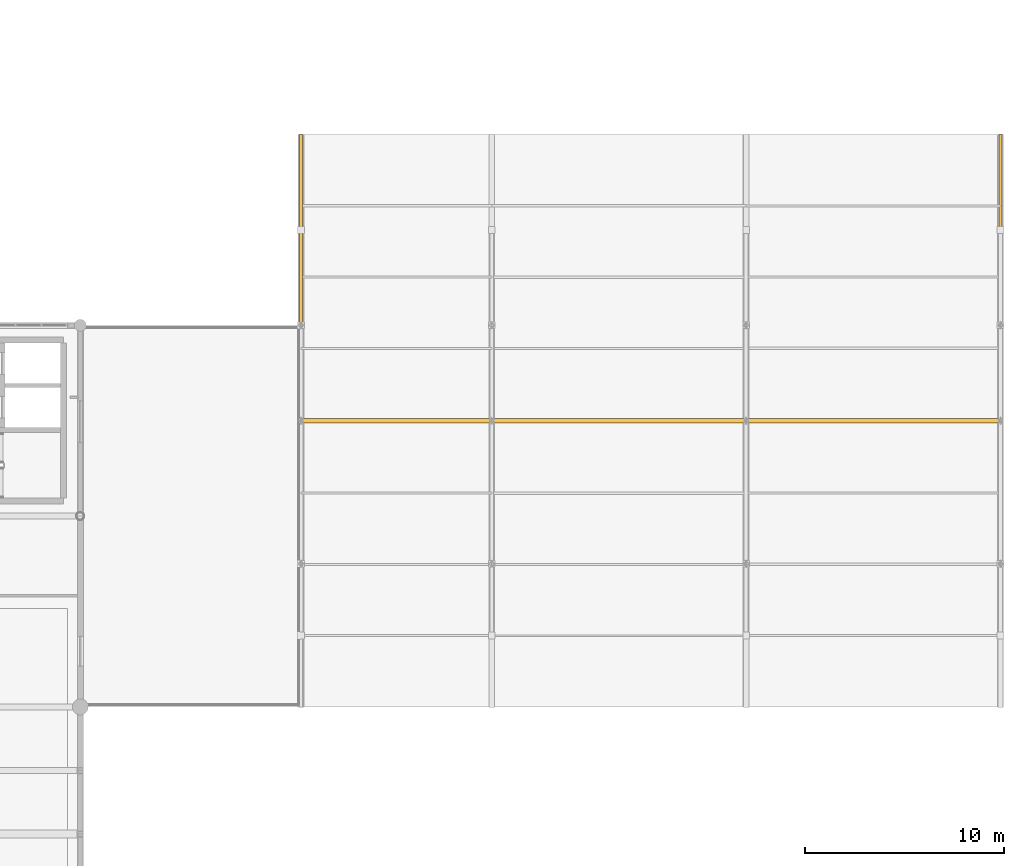
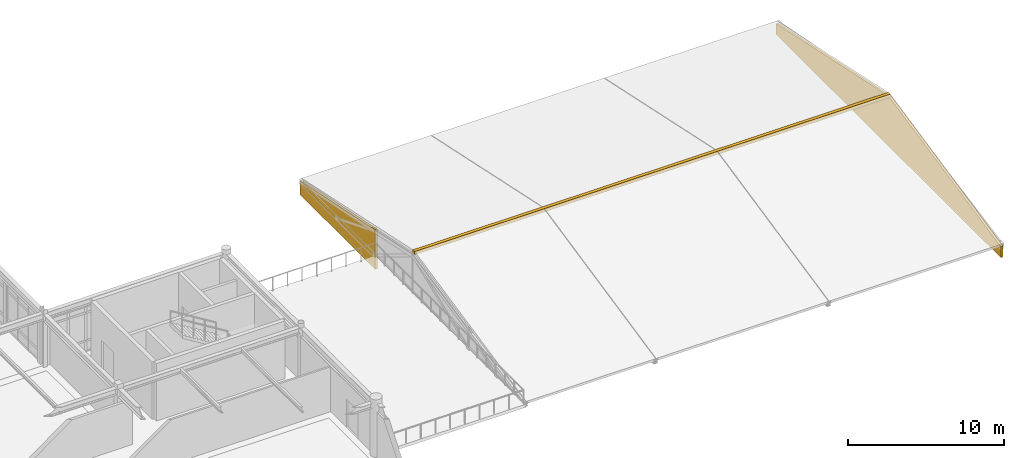
# One storey, part 61 of 61: 3 coverings.
"""IFC4 building model written with IfcOpenShell, lengths in metres."""

from ifc_helpers import new_model, si_unit, direction, frame, frame_2d, origin, place, context, subcontext, project, spatial, polyline, rectangle, outline, extrude, material, layer, layer_set, type_object, element, save


model = new_model("IFC4")

# Units and contexts
model_context = context("Model", 3, precision=1e-05, world=origin(), true_north=direction((0.0, 1.0)))
body_context = subcontext(model_context, "Body", "Model", "MODEL_VIEW")
ifc_project = project(units=[si_unit("LENGTHUNIT", "METRE"), si_unit("AREAUNIT", "SQUARE_METRE"), si_unit("VOLUMEUNIT", "CUBIC_METRE"), si_unit("PLANEANGLEUNIT", "RADIAN"), si_unit("MASSUNIT", "GRAM", prefix="KILO")], contexts=[model_context])

# Site, building, storey
site_placement = place(None, origin())
site = spatial("IfcSite", under=ifc_project, at=site_placement, CompositionType="ELEMENT")
building_placement = place(site_placement, origin())
building = spatial("IfcBuilding", under=site, at=building_placement, Name="Fikremerkos Civic Library", CompositionType="ELEMENT")
storey_placement = place(building_placement, frame((0.0, 0.0, 14.39990234375)))
storey = spatial("IfcBuildingStorey", under=building, at=storey_placement, Name="L03", CompositionType="ELEMENT", Elevation=14.39990234375)

# Coverings
ifc_material = material(Name="Precast basalt cladding panel", Category="masonry")
ifc_layer = layer(ifc_material, 0.159912109375, Name="Precast basalt cladding panel")
ifc_layer_set = layer_set([ifc_layer], Name="Precast basalt cladding panel")
covering_type = type_object("IfcCoveringType", Name="Precast basalt cladding panel CLD-02", PredefinedType="CLADDING", material=ifc_layer_set)
covering_1_placement = place(storey_placement, frame((160.0, 12.0, -0.849853515625), z_axis=(0.0, 0.0, 1.0), x_axis=(0.0, 1.0, 0.0)))
element("IfcCovering", 1, at=covering_1_placement, inside=storey, type_object=covering_type, Name="Auditorium east triangular basalt gable closure CLD-02", PredefinedType="CLADDING", context=body_context, shape_type="SweptSolid", body=[
    extrude(outline(polyline([(0.0, 0.0), (28.800048828125, 0.0), (28.800048828125, 0.849853515625), (14.39990234375, 3.909912109375), (0.0, 0.849853515625), (0.0, 0.0)])), frame((0.0, 0.080078125, 0.0), z_axis=(0.0, -1.0, 0.0), x_axis=(1.0, 0.0, 0.0)), (0.0, 0.0, 1.0), 0.159912109375),
])
covering_2_placement = place(storey_placement, frame((124.800048828125, 31.199951171875, -1.06982421875), z_axis=(0.0, 0.0, 1.0), x_axis=(0.0, 1.0, 0.0)))
element("IfcCovering", 2, at=covering_2_placement, inside=storey, type_object=covering_type, Name="Auditorium west-north gable cheek closure CLD-02", PredefinedType="CLADDING", context=body_context, shape_type="SweptSolid", body=[
    extrude(outline(polyline([(0.0, 0.0), (9.60009765625, 0.0), (9.60009765625, 1.06982421875), (0.0, 3.10986328125), (0.0, 0.0)])), frame((0.0, 0.080078125, 0.0), z_axis=(0.0, -1.0, 0.0), x_axis=(1.0, 0.0, 0.0)), (0.0, 0.0, 1.0), 0.159912109375),
])
covering_3_placement = place(storey_placement, frame((124.800048828125, 26.39990234375, 3.010009765625), z_axis=(0.0, 0.0, 1.0), x_axis=(1.0, 0.0, 0.0)))
element("IfcCovering", 3, at=covering_3_placement, inside=storey, type_object=covering_type, Name="Auditorium gable ridge flashing cap CLD-02", PredefinedType="CLADDING", context=body_context, shape_type="SweptSolid", body=[
    extrude(rectangle(XDim=35.199951171875, YDim=0.239990234375, at=frame_2d((17.60009765625, 0.0))), origin(), (0.0, 0.0, 1.0), 0.260009765625),
])

save(model, "model.ifc")
